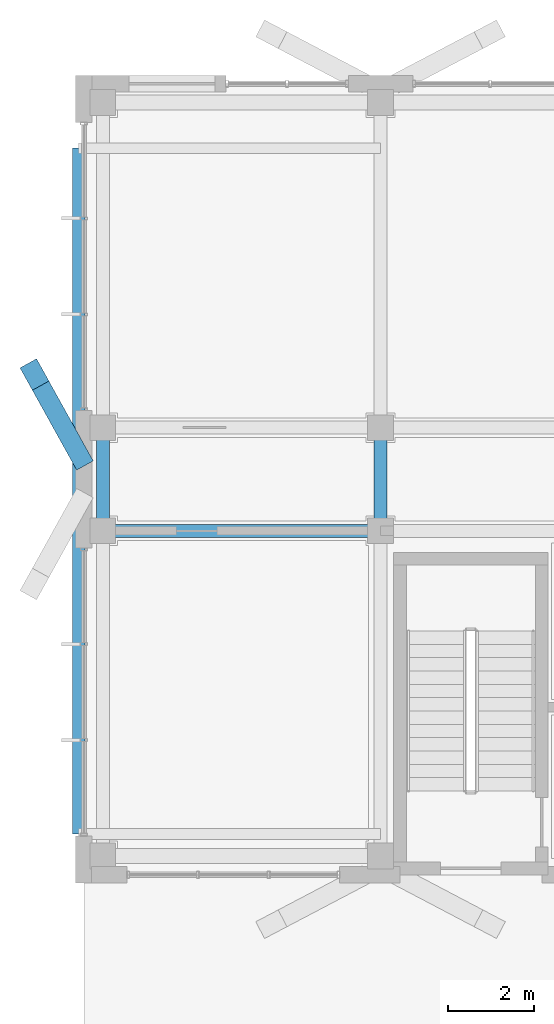
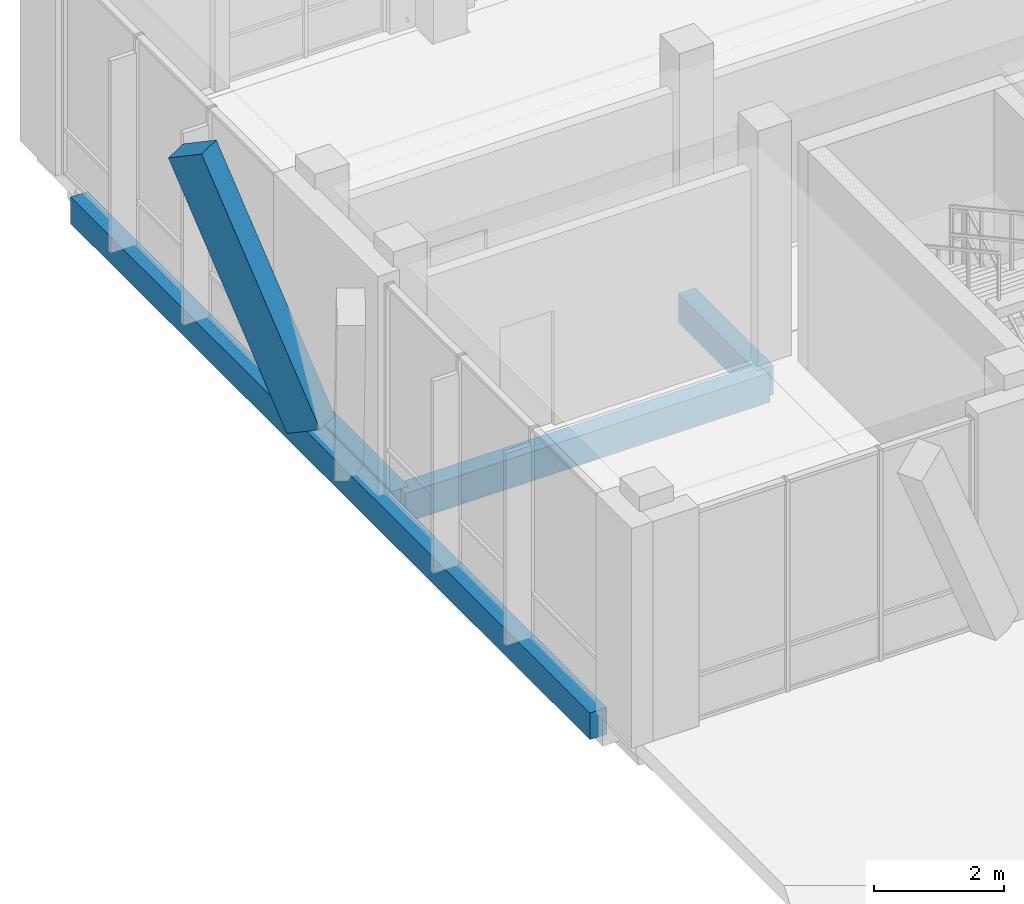
# One storey, part 97 of 233: 4 beams, 1 member.
"""IFC4 building model written with IfcOpenShell, lengths in metres."""

from ifc_helpers import new_model, si_unit, direction, frame, origin, origin_2d, place, context, subcontext, project, spatial, rectangle, extrude, material, material_profile, profile_set, type_object, element, save


model = new_model("IFC4")

# Units and contexts
model_context = context("Model", 3, precision=1e-05, world=origin(), true_north=direction((0.0, 1.0)))
body_context = subcontext(model_context, "Body", "Model", "MODEL_VIEW")
ifc_project = project(units=[si_unit("LENGTHUNIT", "METRE"), si_unit("AREAUNIT", "SQUARE_METRE"), si_unit("VOLUMEUNIT", "CUBIC_METRE"), si_unit("PLANEANGLEUNIT", "RADIAN"), si_unit("MASSUNIT", "GRAM", prefix="KILO")], contexts=[model_context])

# Site, building, storey
site_placement = place(None, origin())
site = spatial("IfcSite", under=ifc_project, at=site_placement, CompositionType="ELEMENT")
building_placement = place(site_placement, origin())
building = spatial("IfcBuilding", under=site, at=building_placement, Name="Zavelmont Quarter", CompositionType="ELEMENT")
storey_placement = place(building_placement, origin())
storey = spatial("IfcBuildingStorey", under=building, at=storey_placement, Name="L00", CompositionType="ELEMENT", Elevation=0.0)

# Beams
ifc_material_1 = material(Name="Concrete C35/45", Category="concrete")
ifc_material_profile_1 = material_profile(ifc_material_1, rectangle(XDim=0.300048828125, YDim=0.550048828125, at=origin_2d()), Name="RC300X550")
ifc_profile_set_1 = profile_set([ifc_material_profile_1], Name="Concrete C35/45")
beam_type_1 = type_object("IfcBeamType", Name="BM02", PredefinedType="SPANDREL", material=ifc_profile_set_1)
beam_1_placement = place(storey_placement, frame((0.43994140625, 105.60009765625, -0.594970703125), z_axis=(1.0, 0.0, 0.0), x_axis=(0.0, 1.0, 0.0)))
element("IfcBeam", 1, at=beam_1_placement, inside=storey, type_object=beam_type_1, Name="L00 beam BM02 1/Q to 2/Q", PredefinedType="SPANDREL", context=body_context, shape_type="SweptSolid", body=[
    extrude(rectangle(XDim=0.300048828125, YDim=0.550048828125, at=origin_2d()), origin(), (0.0, 0.0, 1.0), 6.4599609375),
])
for number, where, z_axis, x_axis, name in (
    (2, (0.43994140625, 105.60009765625, -0.594970703125), (0.0, 1.0, 0.0), (-1.0, 0.0, 0.0), "L00 beam BM02 1/Q to 1/R"),
    (3, (6.89990234375, 105.60009765625, -0.594970703125), (0.0, 1.0, 0.0), (-1.0, 0.0, 0.0), "L00 beam BM02 2/Q to 2/R"),
):
    element("IfcBeam", number, at=place(storey_placement, frame(where, z_axis=z_axis, x_axis=x_axis)), inside=storey, type_object=beam_type_1, Name=name, PredefinedType="SPANDREL", context=body_context, shape_type="SweptSolid", body=[
        extrude(rectangle(XDim=0.300048828125, YDim=0.550048828125, at=origin_2d()), origin(), (0.0, 0.0, 1.0), 2.39990234375),
    ])
ifc_material_profile_2 = material_profile(ifc_material_1, rectangle(XDim=0.300048828125, YDim=0.5, at=origin_2d()), Name="RC300X500")
ifc_profile_set_2 = profile_set([ifc_material_profile_2], Name="Concrete C35/45")
beam_type_2 = type_object("IfcBeamType", Name="BM03", PredefinedType="BEAM", material=ifc_profile_set_2)
beam_2_placement = place(storey_placement, frame((-0.1201171875, 98.550048828125, -0.25), z_axis=(0.0, 1.0, 0.0), x_axis=(-1.0, 0.0, 0.0)))
element("IfcBeam", 4, at=beam_2_placement, inside=storey, type_object=beam_type_2, Name="L00 beam BM03 1/P to 1/S", PredefinedType="BEAM", context=body_context, shape_type="SweptSolid", body=[
    extrude(rectangle(XDim=0.300048828125, YDim=0.5, at=origin_2d()), origin(), (0.0, 0.0, 1.0), 15.949951171875),
])

# Member
ifc_material_2 = material(Name="White architectural precast concrete C40/50", Category="concrete")
ifc_material_profile_3 = material_profile(ifc_material_2, rectangle(XDim=0.43994140625, YDim=0.659912109375, at=origin_2d()), Name="PCR320X480")
ifc_profile_set_3 = profile_set([ifc_material_profile_3], Name="White architectural precast concrete C40/50")
member_type = type_object("IfcMemberType", Name="VR01M", PredefinedType="CHORD", material=ifc_profile_set_3)
member_placement = place(storey_placement, frame((-0.1201171875, 107.3798828125, 0.0), z_axis=(-0.210785352354, 0.380093264581, 0.90061015176), x_axis=(-0.87452582275, -0.484978953505, 0.0)))
element("IfcMember", 5, at=member_placement, inside=storey, type_object=member_type, Name="L00 member VR01M 1/R to 1/R", PredefinedType="CHORD", context=body_context, shape_type="SweptSolid", body=[
    extrude(rectangle(XDim=0.43994140625, YDim=0.659912109375, at=origin_2d()), origin(), (0.0, 0.0, 1.0), 4.885498046875),
])

save(model, "model.ifc")
